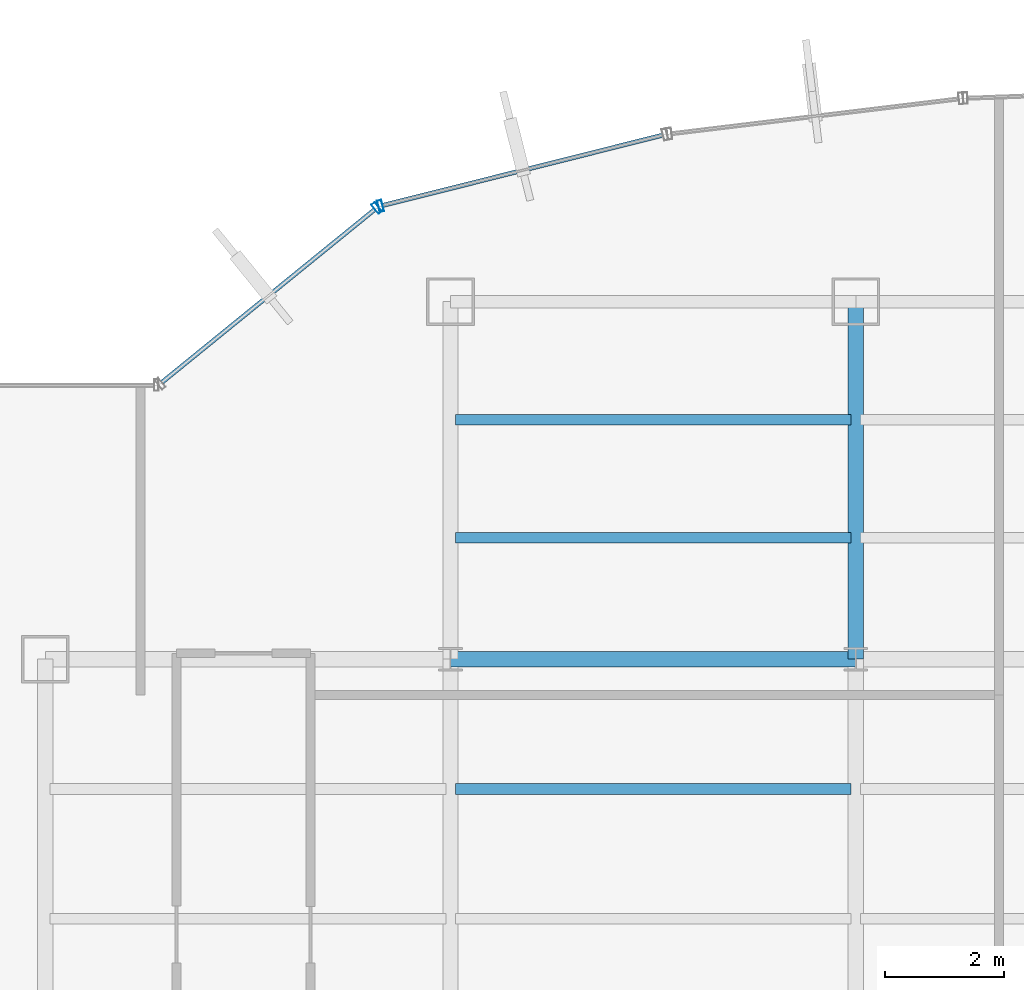
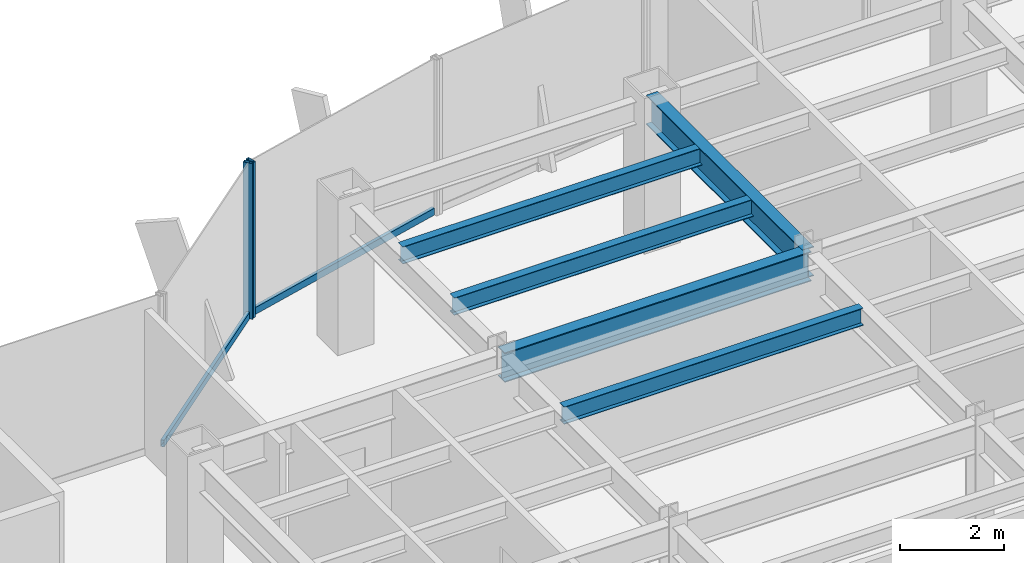
# One storey, part 13 of 25: 5 beams, 4 members, 2 elements without a shape of their own.
"""IFC4 building model written with IfcOpenShell, lengths in metres."""

from ifc_helpers import new_model, si_unit, derived_unit, direction, frame, origin, origin_2d, place, context, subcontext, project, spatial, hollow_rectangle, i_section, extrude, source, transform, mapped, material, material_profile, profile_set, type_object, element, aggregate, save


model = new_model("IFC4")

# Units and contexts
model_context = context("Model", 3, precision=1e-05, world=origin(), true_north=direction((0.0, 1.0)))
body_context = subcontext(model_context, "Body", "Model", "MODEL_VIEW")
ifc_project = project(units=[si_unit("LENGTHUNIT", "METRE"), si_unit("AREAUNIT", "SQUARE_METRE"), si_unit("VOLUMEUNIT", "CUBIC_METRE"), si_unit("PLANEANGLEUNIT", "RADIAN"), si_unit("MASSUNIT", "GRAM", prefix="KILO"), derived_unit("THERMALTRANSMITTANCEUNIT", [(si_unit("POWERUNIT", "WATT"), 1), (si_unit("LENGTHUNIT", "METRE"), -2), (si_unit("THERMODYNAMICTEMPERATUREUNIT", "KELVIN"), -1)])], contexts=[model_context])

# Site, building, storey
site_placement = place(None, origin())
site = spatial("IfcSite", under=ifc_project, at=site_placement, CompositionType="ELEMENT")
building_placement = place(site_placement, origin())
building = spatial("IfcBuilding", under=site, at=building_placement, Name="Skarnbrae Concourse Arena and Tower", CompositionType="ELEMENT")
storey_placement = place(building_placement, frame((0.0, 0.0, 88.64990234375)))
storey = spatial("IfcBuildingStorey", under=building, at=storey_placement, Name="L21", CompositionType="ELEMENT", Elevation=88.64990234375)

# Beams
ifc_material_1 = material(Name="Steel CSA G40.21 350W", Category="steel")
ifc_material_profile_1 = material_profile(ifc_material_1, i_section(OverallWidth=0.256103515625, OverallDepth=0.693115234375, WebThickness=0.014404296875, FlangeThickness=0.023681640625, at=origin_2d()), Name="W690X170")
ifc_profile_set_1 = profile_set([ifc_material_profile_1], Name="Steel CSA G40.21 350W")
beam_type_1 = type_object("IfcBeamType", Name="BM-GIRD-W690X170", PredefinedType="BEAM", material=ifc_profile_set_1)
shared_shape_1 = source(origin(), body_context, "Body", "SweptSolid", [
    extrude(i_section(OverallWidth=0.256103515625, OverallDepth=0.693115234375, WebThickness=0.014404296875, FlangeThickness=0.023681640625, at=origin_2d()), origin(), (0.0, 0.0, 1.0), 6.800048828125),
])
beam_1_placement = place(storey_placement, frame((14.39990234375, 34.39990234375, 3.0537109375), z_axis=(1.0, 0.0, 0.0), x_axis=(0.0, 1.0, 0.0)))
element("IfcBeam", 1, at=beam_1_placement, inside=storey, type_object=beam_type_1, Name="L21 Primary E-W girder Y34.4-2", PredefinedType="BEAM", context=body_context, shape_type="MappedRepresentation", body=[
    mapped(shared_shape_1, transform((0.0, 0.0, 0.0))),
])
shared_shape_2 = source(origin(), body_context, "Body", "SweptSolid", [
    extrude(i_section(OverallWidth=0.256103515625, OverallDepth=0.693115234375, WebThickness=0.014404296875, FlangeThickness=0.023681640625, at=origin_2d()), origin(), (0.0, 0.0, 1.0), 6.0),
])
beam_2_placement = place(storey_placement, frame((21.199951171875, 34.39990234375, 3.0537109375), z_axis=(0.0, 1.0, 0.0), x_axis=(-1.0, 0.0, 0.0)))
element("IfcBeam", 2, at=beam_2_placement, inside=storey, type_object=beam_type_1, Name="L21 Primary N-S girder X21.2-4", PredefinedType="BEAM", context=body_context, shape_type="MappedRepresentation", body=[
    mapped(shared_shape_2, transform((0.0, 0.0, 0.0))),
])
ifc_material_profile_2 = material_profile(ifc_material_1, i_section(OverallWidth=0.177978515625, OverallDepth=0.406982421875, WebThickness=0.0078125, FlangeThickness=0.0126953125, at=origin_2d()), Name="W410X60")
ifc_profile_set_2 = profile_set([ifc_material_profile_2], Name="Steel CSA G40.21 350W")
beam_type_2 = type_object("IfcBeamType", Name="BM-JOIST-W410X60", PredefinedType="JOIST", material=ifc_profile_set_2)
shared_shape_3 = source(origin(), body_context, "Body", "SweptSolid", [
    extrude(i_section(OverallWidth=0.177978515625, OverallDepth=0.406982421875, WebThickness=0.0078125, FlangeThickness=0.0126953125, at=origin_2d()), origin(), (0.0, 0.0, 1.0), 6.64013671875),
])
for number, where, z_axis, x_axis, name in (
    (3, (14.47998046875, 32.221923828125, 3.196533203125), (1.0, 0.0, 0.0), (0.0, 1.0, 0.0), "L21 Secondary floor joist 3.2.2"),
    (4, (14.47998046875, 36.43994140625, 3.196533203125), (1.0, 0.0, 0.0), (0.0, 1.0, 0.0), "L21 Secondary floor joist 4.1.1"),
    (5, (14.47998046875, 38.419921875, 3.196533203125), (1.0, 0.0, 0.0), (0.0, 1.0, 0.0), "L21 Secondary floor joist 4.2.1"),
):
    element("IfcBeam", number, at=place(storey_placement, frame(where, z_axis=z_axis, x_axis=x_axis)), inside=storey, type_object=beam_type_2, Name=name, PredefinedType="JOIST", context=body_context, shape_type="MappedRepresentation", body=[
        mapped(shared_shape_3, transform((0.0, 0.0, 0.0))),
    ])

# Curtain wall, member
ifc_material_2 = material(Name="Bronze anodised aluminium 6063-T6", Category="aluminium")
curtain_wall_type = type_object("IfcCurtainWallType", Name="CW-SYS-04-MIDZONE", PredefinedType="USERDEFINED", material=ifc_material_2)
curtain_wall_1_placement = place(storey_placement, origin())
curtain_wall_1 = element("IfcCurtainWall", 6, at=curtain_wall_1_placement, inside=storey, type_object=curtain_wall_type, Name="L21 Unitised curtain wall CW-L21-E14", ObjectType="UNITISED CURTAIN WALL", PredefinedType="USERDEFINED")
ifc_material_profile_3 = material_profile(ifc_material_2, hollow_rectangle(XDim=0.074951171875, YDim=0.195068359375, WallThickness=0.00439453125, at=origin_2d()), Name="ALU-MULL-75X195")
ifc_profile_set_3 = profile_set([ifc_material_profile_3], Name="Bronze anodised aluminium 6063-T6")
member_type_1 = type_object("IfcMemberType", Name="CWM-CW-04", PredefinedType="MULLION", material=ifc_profile_set_3)
shared_shape_4 = source(origin(), body_context, "Body", "SweptSolid", [
    extrude(hollow_rectangle(XDim=0.074951171875, YDim=0.195068359375, WallThickness=0.00439453125, at=origin_2d()), origin(), (0.0, 0.0, 1.0), 3.650146484375),
])
member_1_placement = place(storey_placement, frame((13.225341796875, 42.005126953125, 0.0), z_axis=(0.0, 0.0, 1.0), x_axis=(-0.969903046166, -0.243491439351, 0.0)))
member_1 = element("IfcMember", 7, at=member_1_placement, type_object=member_type_1, Name="CW-L21-E14 Mullion 2", PredefinedType="MULLION", context=body_context, shape_type="MappedRepresentation", body=[
    mapped(shared_shape_4, transform((0.0, 0.0, 0.0))),
])

# Curtain wall, members
curtain_wall_2_placement = place(storey_placement, origin())
curtain_wall_2 = element("IfcCurtainWall", 8, at=curtain_wall_2_placement, inside=storey, type_object=curtain_wall_type, Name="L21 Unitised curtain wall CW-L21-E15", ObjectType="UNITISED CURTAIN WALL", PredefinedType="USERDEFINED")
member_2_placement = place(storey_placement, frame((13.159912109375, 41.972412109375, 0.0), z_axis=(0.0, 0.0, 1.0), x_axis=(-0.776241200471, -0.630436038542, 0.0)))
member_2 = element("IfcMember", 9, at=member_2_placement, type_object=member_type_1, Name="CW-L21-E15 Mullion 1", PredefinedType="MULLION", context=body_context, shape_type="MappedRepresentation", body=[
    mapped(shared_shape_4, transform((0.0, 0.0, 0.0))),
])
ifc_material_profile_4 = material_profile(ifc_material_2, hollow_rectangle(XDim=0.074951171875, YDim=0.159912109375, WallThickness=0.00439453125, at=origin_2d()), Name="ALU-TRAN-75X160")
ifc_profile_set_4 = profile_set([ifc_material_profile_4], Name="Bronze anodised aluminium 6063-T6")
member_type_2 = type_object("IfcMemberType", Name="CWT-CW-04", PredefinedType="USERDEFINED", material=ifc_profile_set_4)
shared_shape_5 = source(origin(), body_context, "Body", "SweptSolid", [
    extrude(hollow_rectangle(XDim=0.074951171875, YDim=0.159912109375, WallThickness=0.00439453125, at=origin_2d()), origin(), (0.0, 0.0, 1.0), 4.602294921875),
])
member_3_placement = place(storey_placement, frame((13.130615234375, 41.94873046875, 0.080078125), z_axis=(-0.776251906445, -0.630422856297, 0.0), x_axis=(0.630422856297, -0.776251906445, 0.0)))
member_3 = element("IfcMember", 10, at=member_3_placement, type_object=member_type_2, Name="CW-L21-E15 Transom 1", ObjectType="TRANSOM", PredefinedType="USERDEFINED", context=body_context, shape_type="MappedRepresentation", body=[
    mapped(shared_shape_5, transform((0.0, 0.0, 0.0))),
])
aggregate(curtain_wall_2, [member_2, member_3])

# Member
shared_shape_6 = source(origin(), body_context, "Body", "SweptSolid", [
    extrude(hollow_rectangle(XDim=0.074951171875, YDim=0.159912109375, WallThickness=0.00439453125, at=origin_2d()), origin(), (0.0, 0.0, 1.0), 4.84716796875),
])
member_4_placement = place(storey_placement, frame((17.963134765625, 43.194580078125, 0.080078125), z_axis=(-0.969907992238, -0.243471736744, 0.0), x_axis=(0.243471736744, -0.969907992238, 0.0)))
member_4 = element("IfcMember", 11, at=member_4_placement, type_object=member_type_2, Name="CW-L21-E14 Transom 1", ObjectType="TRANSOM", PredefinedType="USERDEFINED", context=body_context, shape_type="MappedRepresentation", body=[
    mapped(shared_shape_6, transform((0.0, 0.0, 0.0))),
])

aggregate(curtain_wall_1, [member_1, member_4])

save(model, "model.ifc")
